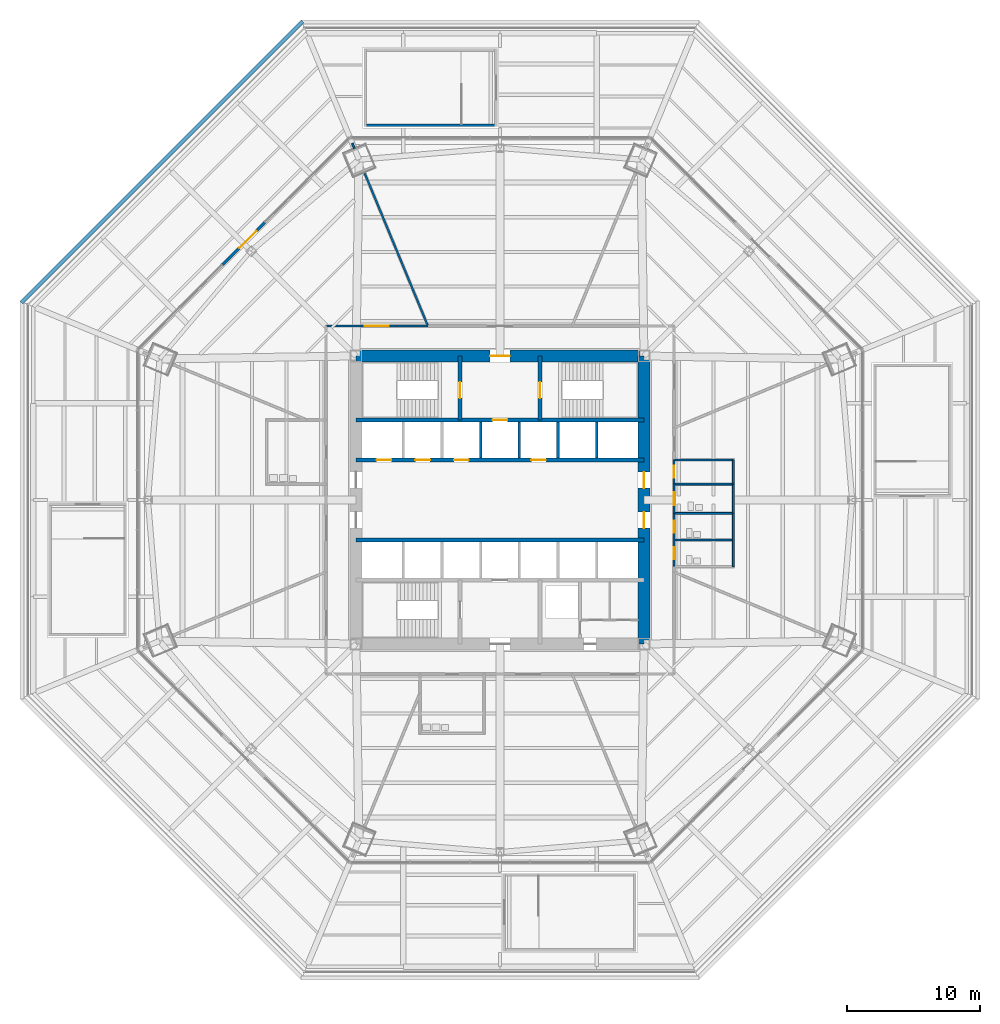
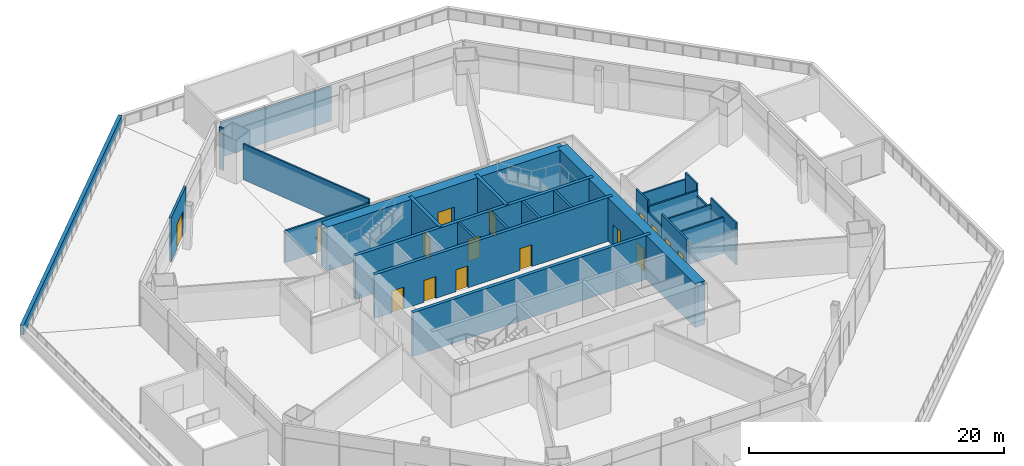
# One storey, part 17 of 25: 27 walls, 16 doors, 16 openings.
"""IFC4 building model written with IfcOpenShell, lengths in metres."""

from ifc_helpers import new_model, si_unit, direction, frame, frame_2d, origin, place, context, subcontext, project, spatial, rectangle, extrude, material, layer, layer_set, type_object, element, fill, save


model = new_model("IFC4")

# Units and contexts
model_context = context("Model", 3, precision=1e-05, world=origin(), true_north=direction((0.0, 1.0)))
body_context = subcontext(model_context, "Body", "Model", "MODEL_VIEW")
ifc_project = project(units=[si_unit("LENGTHUNIT", "METRE"), si_unit("AREAUNIT", "SQUARE_METRE"), si_unit("VOLUMEUNIT", "CUBIC_METRE"), si_unit("PLANEANGLEUNIT", "RADIAN"), si_unit("MASSUNIT", "GRAM", prefix="KILO")], contexts=[model_context])

# Site, building, storey
site_placement = place(None, origin())
site = spatial("IfcSite", under=ifc_project, at=site_placement, CompositionType="ELEMENT")
building_placement = place(site_placement, origin())
building = spatial("IfcBuilding", under=site, at=building_placement, Name="Mashrafa Tower", CompositionType="ELEMENT")
storey_placement = place(building_placement, frame((0.0, 0.0, 28.800048828125)))
storey = spatial("IfcBuildingStorey", under=building, at=storey_placement, Name="L05", CompositionType="ELEMENT", Elevation=28.800048828125)

# Wall, openings, doors
ifc_material_1 = material(Name="Concrete C60/75", Category="concrete")
ifc_layer_1 = layer(ifc_material_1, 0.300048828125)
ifc_layer_set_1 = layer_set([ifc_layer_1], Name="Core wall 300 C60/75")
wall_type_1 = type_object("IfcWallType", Name="Core wall 300 C60/75", PredefinedType="SOLIDWALL", material=ifc_layer_set_1)
wall_1_placement = place(storey_placement, frame((-10.800048828125, 3.0, 0.0), z_axis=(0.0, 0.0, 1.0), x_axis=(1.0, 0.0, 0.0)))
wall_1 = element("IfcWall", 1, at=wall_1_placement, inside=storey, type_object=wall_type_1, Name="Core wall CH-N L05", PredefinedType="SOLIDWALL", context=body_context, shape_type="SweptSolid", body=[
    extrude(rectangle(XDim=21.60009765625, YDim=0.300048828125, at=frame_2d((10.800048828125, 0.0))), origin(), (0.0, 0.0, 1.0), 4.199951171875),
])
opening_1_placement = place(wall_1_placement, frame((1.550048828125, 0.0, 0.0)))
opening_1 = element("IfcOpeningElement", 2, at=opening_1_placement, cuts=wall_1, Name="Opening 05.A1", PredefinedType="OPENING", context=body_context, shape_type="SweptSolid", body=[
    extrude(rectangle(XDim=1.10009765625, YDim=2.10009765625, at=frame_2d((0.550048828125, 1.050048828125))), frame((0.0, 0.159912109375, 0.0), z_axis=(0.0, -1.0, 0.0), x_axis=(1.0, 0.0, 0.0)), (0.0, 0.0, 1.0), 0.320068359375),
])
opening_2_placement = place(wall_1_placement, frame((4.449951171875, 0.0, 0.0)))
opening_2 = element("IfcOpeningElement", 3, at=opening_2_placement, cuts=wall_1, Name="Opening 05.A2", PredefinedType="OPENING", context=body_context, shape_type="SweptSolid", body=[
    extrude(rectangle(XDim=1.10009765625, YDim=2.10009765625, at=frame_2d((0.550048828125, 1.050048828125))), frame((0.0, 0.159912109375, 0.0), z_axis=(0.0, -1.0, 0.0), x_axis=(1.0, 0.0, 0.0)), (0.0, 0.0, 1.0), 0.320068359375),
])
opening_3_placement = place(wall_1_placement, frame((7.35009765625, 0.0, 0.0)))
opening_3 = element("IfcOpeningElement", 4, at=opening_3_placement, cuts=wall_1, Name="Opening 05.A3", PredefinedType="OPENING", context=body_context, shape_type="SweptSolid", body=[
    extrude(rectangle(XDim=1.10009765625, YDim=2.10009765625, at=frame_2d((0.550048828125, 1.050048828125))), frame((0.0, 0.159912109375, 0.0), z_axis=(0.0, -1.0, 0.0), x_axis=(1.0, 0.0, 0.0)), (0.0, 0.0, 1.0), 0.320068359375),
])
opening_4_placement = place(wall_1_placement, frame((13.14990234375, 0.0, 0.0)))
opening_4 = element("IfcOpeningElement", 5, at=opening_4_placement, cuts=wall_1, Name="Opening 05.A4", PredefinedType="OPENING", context=body_context, shape_type="SweptSolid", body=[
    extrude(rectangle(XDim=1.10009765625, YDim=2.10009765625, at=frame_2d((0.550048828125, 1.050048828125))), frame((0.0, 0.159912109375, 0.0), z_axis=(0.0, -1.0, 0.0), x_axis=(1.0, 0.0, 0.0)), (0.0, 0.0, 1.0), 0.320068359375),
])
ifc_material_2 = material(Name="Steel door", Category="steel")
door_type_1 = type_object("IfcDoorType", Name="Lift landing door 1100 x 2100 90 min", OperationType="DOUBLE_DOOR_SLIDING", PredefinedType="DOOR", material=ifc_material_2)
door_1_placement = place(opening_1_placement, origin())
door_1 = element("IfcDoor", 6, at=door_1_placement, inside=storey, type_object=door_type_1, Name="Lift landing door A1 L05", OperationType="DOUBLE_DOOR_SLIDING", OverallHeight=2.10009765625, OverallWidth=1.10009765625, PredefinedType="DOOR", context=body_context, shape_type="SweptSolid", body=[
    extrude(rectangle(XDim=1.10009765625, YDim=2.10009765625, at=frame_2d((0.550048828125, 1.050048828125))), frame((0.0, 0.02490234375, 0.0), z_axis=(0.0, -1.0, 0.0), x_axis=(1.0, 0.0, 0.0)), (0.0, 0.0, 1.0), 0.050048828125),
])
fill(opening_1, door_1)
door_2_placement = place(opening_2_placement, origin())
door_2 = element("IfcDoor", 7, at=door_2_placement, inside=storey, type_object=door_type_1, Name="Lift landing door A2 L05", OperationType="DOUBLE_DOOR_SLIDING", OverallHeight=2.10009765625, OverallWidth=1.10009765625, PredefinedType="DOOR", context=body_context, shape_type="SweptSolid", body=[
    extrude(rectangle(XDim=1.10009765625, YDim=2.10009765625, at=frame_2d((0.550048828125, 1.050048828125))), frame((0.0, 0.02490234375, 0.0), z_axis=(0.0, -1.0, 0.0), x_axis=(1.0, 0.0, 0.0)), (0.0, 0.0, 1.0), 0.050048828125),
])
fill(opening_2, door_2)
door_3_placement = place(opening_3_placement, origin())
door_3 = element("IfcDoor", 8, at=door_3_placement, inside=storey, type_object=door_type_1, Name="Lift landing door A3 L05", OperationType="DOUBLE_DOOR_SLIDING", OverallHeight=2.10009765625, OverallWidth=1.10009765625, PredefinedType="DOOR", context=body_context, shape_type="SweptSolid", body=[
    extrude(rectangle(XDim=1.10009765625, YDim=2.10009765625, at=frame_2d((0.550048828125, 1.050048828125))), frame((0.0, 0.02490234375, 0.0), z_axis=(0.0, -1.0, 0.0), x_axis=(1.0, 0.0, 0.0)), (0.0, 0.0, 1.0), 0.050048828125),
])
fill(opening_3, door_3)
door_4_placement = place(opening_4_placement, origin())
door_4 = element("IfcDoor", 9, at=door_4_placement, inside=storey, type_object=door_type_1, Name="Lift landing door A4 L05", OperationType="DOUBLE_DOOR_SLIDING", OverallHeight=2.10009765625, OverallWidth=1.10009765625, PredefinedType="DOOR", context=body_context, shape_type="SweptSolid", body=[
    extrude(rectangle(XDim=1.10009765625, YDim=2.10009765625, at=frame_2d((0.550048828125, 1.050048828125))), frame((0.0, 0.02490234375, 0.0), z_axis=(0.0, -1.0, 0.0), x_axis=(1.0, 0.0, 0.0)), (0.0, 0.0, 1.0), 0.050048828125),
])
fill(opening_4, door_4)

# Wall, opening, door
wall_2_placement = place(storey_placement, frame((-10.800048828125, 6.0, 0.0), z_axis=(0.0, 0.0, 1.0), x_axis=(1.0, 0.0, 0.0)))
wall_2 = element("IfcWall", 10, at=wall_2_placement, inside=storey, type_object=wall_type_1, Name="Core wall CB-N L05", PredefinedType="SOLIDWALL", context=body_context, shape_type="SweptSolid", body=[
    extrude(rectangle(XDim=21.60009765625, YDim=0.300048828125, at=frame_2d((10.800048828125, 0.0))), origin(), (0.0, 0.0, 1.0), 4.199951171875),
])
opening_5_placement = place(wall_2_placement, frame((10.25, 0.0, 0.0)))
opening_5 = element("IfcOpeningElement", 11, at=opening_5_placement, cuts=wall_2, Name="Opening 05.F1", PredefinedType="OPENING", context=body_context, shape_type="SweptSolid", body=[
    extrude(rectangle(XDim=1.10009765625, YDim=2.10009765625, at=frame_2d((0.550048828125, 1.050048828125))), frame((0.0, 0.159912109375, 0.0), z_axis=(0.0, -1.0, 0.0), x_axis=(1.0, 0.0, 0.0)), (0.0, 0.0, 1.0), 0.320068359375),
])
door_5_placement = place(opening_5_placement, origin())
door_5 = element("IfcDoor", 12, at=door_5_placement, inside=storey, type_object=door_type_1, Name="Lift landing door F1 L05", OperationType="DOUBLE_DOOR_SLIDING", OverallHeight=2.10009765625, OverallWidth=1.10009765625, PredefinedType="DOOR", context=body_context, shape_type="SweptSolid", body=[
    extrude(rectangle(XDim=1.10009765625, YDim=2.10009765625, at=frame_2d((0.550048828125, 1.050048828125))), frame((0.0, 0.02490234375, 0.0), z_axis=(0.0, -1.0, 0.0), x_axis=(1.0, 0.0, 0.0)), (0.0, 0.0, 1.0), 0.050048828125),
])
fill(opening_5, door_5)

wall_3_placement = place(storey_placement, frame((-3.0, 6.0, 0.0), z_axis=(0.0, 0.0, 1.0), x_axis=(0.0, 1.0, 0.0)))
wall_3 = element("IfcWall", 13, at=wall_3_placement, inside=storey, type_object=wall_type_1, Name="Core wall CX-NW L05", PredefinedType="SOLIDWALL", context=body_context, shape_type="SweptSolid", body=[
    extrude(rectangle(XDim=4.800048828125, YDim=0.300048828125, at=frame_2d((2.39990234375, 0.0))), origin(), (0.0, 0.0, 1.0), 4.199951171875),
])
opening_6_placement = place(wall_3_placement, frame((1.64990234375, 0.0, 0.0)))
opening_6 = element("IfcOpeningElement", 14, at=opening_6_placement, cuts=wall_3, Name="Opening 05.021", PredefinedType="OPENING", context=body_context, shape_type="SweptSolid", body=[
    extrude(rectangle(XDim=1.199951171875, YDim=2.10009765625, at=frame_2d((0.60009765625, 1.050048828125))), frame((0.0, 0.159912109375, 0.0), z_axis=(0.0, -1.0, 0.0), x_axis=(1.0, 0.0, 0.0)), (0.0, 0.0, 1.0), 0.320068359375),
])
ifc_material_3 = material(Name="Steel door", Category="steel")
door_type_2 = type_object("IfcDoorType", Name="Stair door 1200 x 2100 90 min", OperationType="USERDEFINED", PredefinedType="DOOR", material=ifc_material_3)
door_6_placement = place(opening_6_placement, origin())
door_6 = element("IfcDoor", 15, at=door_6_placement, inside=storey, type_object=door_type_2, Name="Stair S1 door L05", OperationType="SINGLE_SWING_LEFT", OverallHeight=2.10009765625, OverallWidth=1.199951171875, PredefinedType="DOOR", context=body_context, shape_type="SweptSolid", body=[
    extrude(rectangle(XDim=1.199951171875, YDim=2.10009765625, at=frame_2d((0.60009765625, 1.050048828125))), frame((0.0, 0.02490234375, 0.0), z_axis=(0.0, -1.0, 0.0), x_axis=(1.0, 0.0, 0.0)), (0.0, 0.0, 1.0), 0.050048828125),
])
fill(opening_6, door_6)

wall_4_placement = place(storey_placement, frame((3.0, 6.0, 0.0), z_axis=(0.0, 0.0, 1.0), x_axis=(0.0, 1.0, 0.0)))
wall_4 = element("IfcWall", 16, at=wall_4_placement, inside=storey, type_object=wall_type_1, Name="Core wall CX-NE L05", PredefinedType="SOLIDWALL", context=body_context, shape_type="SweptSolid", body=[
    extrude(rectangle(XDim=4.800048828125, YDim=0.300048828125, at=frame_2d((2.39990234375, 0.0))), origin(), (0.0, 0.0, 1.0), 4.199951171875),
])
opening_7_placement = place(wall_4_placement, frame((1.64990234375, 0.0, 0.0)))
opening_7 = element("IfcOpeningElement", 17, at=opening_7_placement, cuts=wall_4, Name="Opening 05.022", PredefinedType="OPENING", context=body_context, shape_type="SweptSolid", body=[
    extrude(rectangle(XDim=1.199951171875, YDim=2.10009765625, at=frame_2d((0.60009765625, 1.050048828125))), frame((0.0, 0.159912109375, 0.0), z_axis=(0.0, -1.0, 0.0), x_axis=(1.0, 0.0, 0.0)), (0.0, 0.0, 1.0), 0.320068359375),
])
door_7_placement = place(opening_7_placement, frame((1.199951171875, 0.0, 0.0), z_axis=(0.0, 0.0, 1.0), x_axis=(-1.0, 0.0, 0.0)))
door_7 = element("IfcDoor", 18, at=door_7_placement, inside=storey, type_object=door_type_2, Name="Stair S2 door L05", OperationType="SINGLE_SWING_RIGHT", OverallHeight=2.10009765625, OverallWidth=1.199951171875, PredefinedType="DOOR", context=body_context, shape_type="SweptSolid", body=[
    extrude(rectangle(XDim=1.199951171875, YDim=2.10009765625, at=frame_2d((0.60009765625, 1.050048828125))), frame((0.0, 0.02490234375, 0.0), z_axis=(0.0, -1.0, 0.0), x_axis=(1.0, 0.0, 0.0)), (0.0, 0.0, 1.0), 0.050048828125),
])
fill(opening_7, door_7)

# Wall
wall_5_placement = place(storey_placement, frame((-10.800048828125, -3.0, 0.0), z_axis=(0.0, 0.0, 1.0), x_axis=(1.0, 0.0, 0.0)))
element("IfcWall", 19, at=wall_5_placement, inside=storey, type_object=wall_type_1, Name="Core wall CH-S L05", PredefinedType="SOLIDWALL", context=body_context, shape_type="SweptSolid", body=[
    extrude(rectangle(XDim=21.60009765625, YDim=0.300048828125, at=frame_2d((10.800048828125, 0.0))), origin(), (0.0, 0.0, 1.0), 4.199951171875),
])

# Wall, openings, doors
ifc_material_4 = material(Name="Concrete C60/75", Category="concrete")
ifc_layer_2 = layer(ifc_material_4, 0.89990234375)
ifc_layer_set_2 = layer_set([ifc_layer_2], Name="Core wall 900 C60/75")
wall_type_2 = type_object("IfcWallType", Name="Core wall 900 C60/75", PredefinedType="SOLIDWALL", material=ifc_layer_set_2)
wall_6_placement = place(storey_placement, frame((10.800048828125, -10.800048828125, 0.0), z_axis=(0.0, 0.0, 1.0), x_axis=(0.0, 1.0, 0.0)))
wall_6 = element("IfcWall", 20, at=wall_6_placement, inside=storey, type_object=wall_type_2, Name="Core wall CW-E L05", PredefinedType="SOLIDWALL", context=body_context, shape_type="SweptSolid", body=[
    extrude(rectangle(XDim=21.60009765625, YDim=0.89990234375, at=frame_2d((10.800048828125, 0.0))), origin(), (0.0, 0.0, 1.0), 4.199951171875),
])
opening_8_placement = place(wall_6_placement, frame((11.699951171875, 0.0, 0.0)))
opening_8 = element("IfcOpeningElement", 21, at=opening_8_placement, cuts=wall_6, Name="Opening 05.015", PredefinedType="OPENING", context=body_context, shape_type="SweptSolid", body=[
    extrude(rectangle(XDim=1.199951171875, YDim=2.10009765625, at=frame_2d((0.60009765625, 1.050048828125))), frame((0.0, 0.4599609375, 0.0), z_axis=(0.0, -1.0, 0.0), x_axis=(1.0, 0.0, 0.0)), (0.0, 0.0, 1.0), 0.919921875),
])
opening_9_placement = place(wall_6_placement, frame((8.699951171875, 0.0, 0.0)))
opening_9 = element("IfcOpeningElement", 22, at=opening_9_placement, cuts=wall_6, Name="Opening 05.017", PredefinedType="OPENING", context=body_context, shape_type="SweptSolid", body=[
    extrude(rectangle(XDim=1.199951171875, YDim=2.10009765625, at=frame_2d((0.60009765625, 1.050048828125))), frame((0.0, 0.4599609375, 0.0), z_axis=(0.0, -1.0, 0.0), x_axis=(1.0, 0.0, 0.0)), (0.0, 0.0, 1.0), 0.919921875),
])
ifc_material_5 = material(Name="Steel door", Category="steel")
door_type_3 = type_object("IfcDoorType", Name="Lift hall door 1200 x 2100 90 min", OperationType="USERDEFINED", PredefinedType="DOOR", material=ifc_material_5)
door_8_placement = place(opening_8_placement, frame((1.199951171875, 0.0, 0.0), z_axis=(0.0, 0.0, 1.0), x_axis=(-1.0, 0.0, 0.0)))
door_8 = element("IfcDoor", 23, at=door_8_placement, inside=storey, type_object=door_type_3, Name="Lift hall door east L05", OperationType="SINGLE_SWING_LEFT", OverallHeight=2.10009765625, OverallWidth=1.199951171875, PredefinedType="DOOR", context=body_context, shape_type="SweptSolid", body=[
    extrude(rectangle(XDim=1.199951171875, YDim=2.10009765625, at=frame_2d((0.60009765625, 1.050048828125))), frame((0.0, 0.02490234375, 0.0), z_axis=(0.0, -1.0, 0.0), x_axis=(1.0, 0.0, 0.0)), (0.0, 0.0, 1.0), 0.050048828125),
])
fill(opening_8, door_8)
door_9_placement = place(opening_9_placement, frame((1.199951171875, 0.0, 0.0), z_axis=(0.0, 0.0, 1.0), x_axis=(-1.0, 0.0, 0.0)))
door_9 = element("IfcDoor", 24, at=door_9_placement, inside=storey, type_object=door_type_3, Name="Lift hall door east L05", OperationType="SINGLE_SWING_RIGHT", OverallHeight=2.10009765625, OverallWidth=1.199951171875, PredefinedType="DOOR", context=body_context, shape_type="SweptSolid", body=[
    extrude(rectangle(XDim=1.199951171875, YDim=2.10009765625, at=frame_2d((0.60009765625, 1.050048828125))), frame((0.0, 0.02490234375, 0.0), z_axis=(0.0, -1.0, 0.0), x_axis=(1.0, 0.0, 0.0)), (0.0, 0.0, 1.0), 0.050048828125),
])
fill(opening_9, door_9)

# Wall, opening, door
wall_7_placement = place(storey_placement, frame((10.800048828125, 10.800048828125, 0.0), z_axis=(0.0, 0.0, 1.0), x_axis=(-1.0, 0.0, 0.0)))
wall_7 = element("IfcWall", 25, at=wall_7_placement, inside=storey, type_object=wall_type_2, Name="Core wall CW-N L05", PredefinedType="SOLIDWALL", context=body_context, shape_type="SweptSolid", body=[
    extrude(rectangle(XDim=21.60009765625, YDim=0.89990234375, at=frame_2d((10.800048828125, 0.0))), origin(), (0.0, 0.0, 1.0), 4.199951171875),
])
opening_10_placement = place(wall_7_placement, frame((10.050048828125, 0.0, 0.0)))
opening_10 = element("IfcOpeningElement", 26, at=opening_10_placement, cuts=wall_7, Name="Opening 05.019", PredefinedType="OPENING", context=body_context, shape_type="SweptSolid", body=[
    extrude(rectangle(XDim=1.5, YDim=2.10009765625, at=frame_2d((0.75, 1.050048828125))), frame((0.0, 0.4599609375, 0.0), z_axis=(0.0, -1.0, 0.0), x_axis=(1.0, 0.0, 0.0)), (0.0, 0.0, 1.0), 0.919921875),
])
ifc_material_6 = material(Name="Steel door", Category="steel")
door_type_4 = type_object("IfcDoorType", Name="Lobby door pair 1500 x 2100 90 min", OperationType="DOUBLE_DOOR_SINGLE_SWING", PredefinedType="DOOR", material=ifc_material_6)
door_10_placement = place(opening_10_placement, origin())
door_10 = element("IfcDoor", 27, at=door_10_placement, inside=storey, type_object=door_type_4, Name="Fire-fighting lobby F1 door L05", OperationType="DOUBLE_DOOR_SINGLE_SWING", OverallHeight=2.10009765625, OverallWidth=1.5, PredefinedType="DOOR", context=body_context, shape_type="SweptSolid", body=[
    extrude(rectangle(XDim=1.5, YDim=2.10009765625, at=frame_2d((0.75, 1.050048828125))), frame((0.0, 0.02490234375, 0.0), z_axis=(0.0, -1.0, 0.0), x_axis=(1.0, 0.0, 0.0)), (0.0, 0.0, 1.0), 0.050048828125),
])
fill(opening_10, door_10)

# Wall, openings, doors
ifc_material_7 = material(Name="Gypsum board on steel studs", Category="steel")
ifc_layer_3 = layer(ifc_material_7, 0.14990234375)
ifc_layer_set_3 = layer_set([ifc_layer_3], Name="Corridor partition 150 1 hr")
wall_type_3 = type_object("IfcWallType", Name="Corridor partition 150 1 hr", PredefinedType="PARTITIONING", material=ifc_layer_set_3)
wall_8_placement = place(storey_placement, frame((13.050048828125, -5.0, 0.0), z_axis=(0.0, 0.0, 1.0), x_axis=(0.0, 1.0, 0.0)))
wall_8 = element("IfcWall", 28, at=wall_8_placement, inside=storey, type_object=wall_type_3, Name="Corridor wall L05-002", PredefinedType="PARTITIONING", context=body_context, shape_type="SweptSolid", body=[
    extrude(rectangle(XDim=4.0, YDim=0.14990234375, at=frame_2d((2.0, 0.0))), origin(), (0.0, 0.0, 1.0), 4.034912109375),
])
opening_11_placement = place(wall_8_placement, frame((0.550048828125, 0.0, 0.0)))
opening_11 = element("IfcOpeningElement", 29, at=opening_11_placement, cuts=wall_8, Name="Opening 05.001", PredefinedType="OPENING", context=body_context, shape_type="SweptSolid", body=[
    extrude(rectangle(XDim=0.89990234375, YDim=2.10009765625, at=frame_2d((0.449951171875, 1.050048828125))), frame((0.0, 0.0849609375, 0.0), z_axis=(0.0, -1.0, 0.0), x_axis=(1.0, 0.0, 0.0)), (0.0, 0.0, 1.0), 0.169921875),
])
opening_12_placement = place(wall_8_placement, frame((2.550048828125, 0.0, 0.0)))
opening_12 = element("IfcOpeningElement", 30, at=opening_12_placement, cuts=wall_8, Name="Opening 05.002", PredefinedType="OPENING", context=body_context, shape_type="SweptSolid", body=[
    extrude(rectangle(XDim=0.89990234375, YDim=2.10009765625, at=frame_2d((0.449951171875, 1.050048828125))), frame((0.0, 0.0849609375, 0.0), z_axis=(0.0, -1.0, 0.0), x_axis=(1.0, 0.0, 0.0)), (0.0, 0.0, 1.0), 0.169921875),
])
ifc_material_8 = material(Name="Timber door", Category="wood")
door_type_5 = type_object("IfcDoorType", Name="Toilet door 900 x 2100", OperationType="USERDEFINED", PredefinedType="DOOR", material=ifc_material_8)
door_11_placement = place(opening_11_placement, frame((0.89990234375, 0.0, 0.0), z_axis=(0.0, 0.0, 1.0), x_axis=(-1.0, 0.0, 0.0)))
door_11 = element("IfcDoor", 31, at=door_11_placement, inside=storey, type_object=door_type_5, Name="WC Female L05 door", OperationType="SINGLE_SWING_RIGHT", OverallHeight=2.10009765625, OverallWidth=0.89990234375, PredefinedType="DOOR", context=body_context, shape_type="SweptSolid", body=[
    extrude(rectangle(XDim=0.89990234375, YDim=2.10009765625, at=frame_2d((0.449951171875, 1.050048828125))), frame((0.0, 0.02490234375, 0.0), z_axis=(0.0, -1.0, 0.0), x_axis=(1.0, 0.0, 0.0)), (0.0, 0.0, 1.0), 0.050048828125),
])
fill(opening_11, door_11)
door_12_placement = place(opening_12_placement, frame((0.89990234375, 0.0, 0.0), z_axis=(0.0, 0.0, 1.0), x_axis=(-1.0, 0.0, 0.0)))
door_12 = element("IfcDoor", 32, at=door_12_placement, inside=storey, type_object=door_type_5, Name="WC Male L05 door", OperationType="SINGLE_SWING_RIGHT", OverallHeight=2.10009765625, OverallWidth=0.89990234375, PredefinedType="DOOR", context=body_context, shape_type="SweptSolid", body=[
    extrude(rectangle(XDim=0.89990234375, YDim=2.10009765625, at=frame_2d((0.449951171875, 1.050048828125))), frame((0.0, 0.02490234375, 0.0), z_axis=(0.0, -1.0, 0.0), x_axis=(1.0, 0.0, 0.0)), (0.0, 0.0, 1.0), 0.050048828125),
])
fill(opening_12, door_12)

# Wall, opening, door
wall_9_placement = place(storey_placement, frame((13.050048828125, 1.199951171875, 0.0), z_axis=(0.0, 0.0, 1.0), x_axis=(0.0, -1.0, 0.0)))
wall_9 = element("IfcWall", 33, at=wall_9_placement, inside=storey, type_object=wall_type_3, Name="Corridor wall L05-009", PredefinedType="PARTITIONING", context=body_context, shape_type="SweptSolid", body=[
    extrude(rectangle(XDim=2.199951171875, YDim=0.14990234375, at=frame_2d((1.10009765625, 0.0))), origin(), (0.0, 0.0, 1.0), 2.925048828125),
])
opening_13_placement = place(wall_9_placement, frame((0.60009765625, 0.0, 0.0)))
opening_13 = element("IfcOpeningElement", 34, at=opening_13_placement, cuts=wall_9, Name="Opening 05.003", PredefinedType="OPENING", context=body_context, shape_type="SweptSolid", body=[
    extrude(rectangle(XDim=1.0, YDim=2.10009765625, at=frame_2d((0.5, 1.050048828125))), frame((0.0, 0.0849609375, 0.0), z_axis=(0.0, -1.0, 0.0), x_axis=(1.0, 0.0, 0.0)), (0.0, 0.0, 1.0), 0.169921875),
])
ifc_material_9 = material(Name="Timber door", Category="wood")
door_type_6 = type_object("IfcDoorType", Name="Accessible toilet door 1000 x 2100", OperationType="USERDEFINED", PredefinedType="DOOR", material=ifc_material_9)
door_13_placement = place(opening_13_placement, origin())
door_13 = element("IfcDoor", 35, at=door_13_placement, inside=storey, type_object=door_type_6, Name="Accessible WC L05 door", OperationType="SINGLE_SWING_LEFT", OverallHeight=2.10009765625, OverallWidth=1.0, PredefinedType="DOOR", context=body_context, shape_type="SweptSolid", body=[
    extrude(rectangle(XDim=1.0, YDim=2.10009765625, at=frame_2d((0.5, 1.050048828125))), frame((0.0, 0.02490234375, 0.0), z_axis=(0.0, -1.0, 0.0), x_axis=(1.0, 0.0, 0.0)), (0.0, 0.0, 1.0), 0.050048828125),
])
fill(opening_13, door_13)

wall_10_placement = place(storey_placement, frame((13.050048828125, 3.0, 0.0), z_axis=(0.0, 0.0, 1.0), x_axis=(0.0, -1.0, 0.0)))
wall_10 = element("IfcWall", 36, at=wall_10_placement, inside=storey, type_object=wall_type_3, Name="Corridor wall L05-011", PredefinedType="PARTITIONING", context=body_context, shape_type="SweptSolid", body=[
    extrude(rectangle(XDim=1.800048828125, YDim=0.14990234375, at=frame_2d((0.89990234375, 0.0))), origin(), (0.0, 0.0, 1.0), 4.034912109375),
])
opening_14_placement = place(wall_10_placement, frame((0.449951171875, 0.0, 0.0)))
opening_14 = element("IfcOpeningElement", 37, at=opening_14_placement, cuts=wall_10, Name="Opening 05.004", PredefinedType="OPENING", context=body_context, shape_type="SweptSolid", body=[
    extrude(rectangle(XDim=0.89990234375, YDim=2.10009765625, at=frame_2d((0.449951171875, 1.050048828125))), frame((0.0, 0.0849609375, 0.0), z_axis=(0.0, -1.0, 0.0), x_axis=(1.0, 0.0, 0.0)), (0.0, 0.0, 1.0), 0.169921875),
])
ifc_material_10 = material(Name="Timber door", Category="wood")
door_type_7 = type_object("IfcDoorType", Name="Store door 900 x 2100", OperationType="USERDEFINED", PredefinedType="DOOR", material=ifc_material_10)
door_14_placement = place(opening_14_placement, origin())
door_14 = element("IfcDoor", 38, at=door_14_placement, inside=storey, type_object=door_type_7, Name="Cleaner's Store L05 door", OperationType="SINGLE_SWING_LEFT", OverallHeight=2.10009765625, OverallWidth=0.89990234375, PredefinedType="DOOR", context=body_context, shape_type="SweptSolid", body=[
    extrude(rectangle(XDim=0.89990234375, YDim=2.10009765625, at=frame_2d((0.449951171875, 1.050048828125))), frame((0.0, 0.02490234375, 0.0), z_axis=(0.0, -1.0, 0.0), x_axis=(1.0, 0.0, 0.0)), (0.0, 0.0, 1.0), 0.050048828125),
])
fill(opening_14, door_14)

wall_11_placement = place(storey_placement, frame((-5.404296875, 13.050048828125, 0.0), z_axis=(0.0, 0.0, 1.0), x_axis=(-1.0, 0.0, 0.0)))
wall_11 = element("IfcWall", 39, at=wall_11_placement, inside=storey, type_object=wall_type_3, Name="Corridor wall L05-031", PredefinedType="PARTITIONING", context=body_context, shape_type="SweptSolid", body=[
    extrude(rectangle(XDim=7.645751953125, YDim=0.14990234375, at=frame_2d((3.82275390625, 0.0))), origin(), (0.0, 0.0, 1.0), 3.06494140625),
])
opening_15_placement = place(wall_11_placement, frame((2.9228515625, 0.0, 0.0)))
opening_15 = element("IfcOpeningElement", 40, at=opening_15_placement, cuts=wall_11, Name="Opening 05.012", PredefinedType="OPENING", context=body_context, shape_type="SweptSolid", body=[
    extrude(rectangle(XDim=1.800048828125, YDim=2.39990234375, at=frame_2d((0.89990234375, 1.199951171875))), frame((0.0, 0.0849609375, 0.0), z_axis=(0.0, -1.0, 0.0), x_axis=(1.0, 0.0, 0.0)), (0.0, 0.0, 1.0), 0.169921875),
])
ifc_material_11 = material(Name="Timber door", Category="wood")
door_type_8 = type_object("IfcDoorType", Name="Door pair 1800 x 2400", OperationType="DOUBLE_DOOR_SINGLE_SWING", PredefinedType="DOOR", material=ifc_material_11)
door_15_placement = place(opening_15_placement, origin())
door_15 = element("IfcDoor", 41, at=door_15_placement, inside=storey, type_object=door_type_8, Name="Winter Garden Lounge North-West L05 door", OperationType="DOUBLE_DOOR_SINGLE_SWING", OverallHeight=2.39990234375, OverallWidth=1.800048828125, PredefinedType="DOOR", context=body_context, shape_type="SweptSolid", body=[
    extrude(rectangle(XDim=1.800048828125, YDim=2.39990234375, at=frame_2d((0.89990234375, 1.199951171875))), frame((0.0, 0.02490234375, 0.0), z_axis=(0.0, -1.0, 0.0), x_axis=(1.0, 0.0, 0.0)), (0.0, 0.0, 1.0), 0.050048828125),
])
fill(opening_15, door_15)

ifc_material_12 = material(Name="Bronze-framed glazed screen")
ifc_layer_4 = layer(ifc_material_12, 0.199951171875)
ifc_layer_set_4 = layer_set([ifc_layer_4], Name="Glazed door screen 200")
wall_type_4 = type_object("IfcWallType", Name="Glazed door screen 200", PredefinedType="SOLIDWALL", material=ifc_layer_set_4)
wall_12_placement = place(storey_placement, frame((-17.648681640625, 20.81787109375, 0.0), z_axis=(0.0, 0.0, 1.0), x_axis=(-0.707106781187, -0.707106781187, 0.0)))
wall_12 = element("IfcWall", 42, at=wall_12_placement, inside=storey, type_object=wall_type_4, Name="Glazed garden door screen L05 north-west", PredefinedType="SOLIDWALL", context=body_context, shape_type="SweptSolid", body=[
    extrude(rectangle(XDim=4.48193359375, YDim=0.199951171875, at=frame_2d((2.240966796875, 0.0))), origin(), (0.0, 0.0, 1.0), 4.199951171875),
])
opening_16_placement = place(wall_12_placement, frame((0.89111328125, 0.0, 0.0)))
opening_16 = element("IfcOpeningElement", 43, at=opening_16_placement, cuts=wall_12, Name="Opening ED4", PredefinedType="OPENING", context=body_context, shape_type="SweptSolid", body=[
    extrude(rectangle(XDim=1.800048828125, YDim=2.39990234375, at=frame_2d((0.89990234375, 1.199951171875))), frame((0.0, 0.10986328125, 0.0), z_axis=(0.0, -1.0, 0.0), x_axis=(1.0, 0.0, 0.0)), (0.0, 0.0, 1.0), 0.219970703125),
])
ifc_material_13 = material(Name="Aluminium-framed glazed door", Category="aluminium")
door_type_9 = type_object("IfcDoorType", Name="Garden door pair 1800 x 2400", OperationType="DOUBLE_DOOR_SINGLE_SWING", PredefinedType="DOOR", material=ifc_material_13)
door_16_placement = place(opening_16_placement, origin())
door_16 = element("IfcDoor", 44, at=door_16_placement, inside=storey, type_object=door_type_9, Name="Garden door L05 north-west", OperationType="SINGLE_SWING_LEFT", OverallHeight=2.39990234375, OverallWidth=1.800048828125, PredefinedType="DOOR", context=body_context, shape_type="SweptSolid", body=[
    extrude(rectangle(XDim=1.800048828125, YDim=2.39990234375, at=frame_2d((0.89990234375, 1.199951171875))), frame((0.0, 0.02490234375, 0.0), z_axis=(0.0, -1.0, 0.0), x_axis=(1.0, 0.0, 0.0)), (0.0, 0.0, 1.0), 0.050048828125),
])
fill(opening_16, door_16)

# Walls
ifc_material_14 = material(Name="Limestone-clad parapet", Category="masonry")
ifc_layer_5 = layer(ifc_material_14, 0.300048828125)
ifc_layer_set_5 = layer_set([ifc_layer_5], Name="Limestone parapet 300")
wall_type_5 = type_object("IfcWallType", Name="Limestone parapet 300", PredefinedType="PARAPET", material=ifc_layer_set_5)
wall_13_placement = place(storey_placement, frame((-14.8056640625, 35.89404296875, 0.0), z_axis=(0.0, 0.0, 1.0), x_axis=(-0.707106781187, -0.707106781187, 0.0)))
element("IfcWall", 45, at=wall_13_placement, inside=storey, type_object=wall_type_5, Name="Parapet L05 north-west", PredefinedType="PARAPET", context=body_context, shape_type="SweptSolid", body=[
    extrude(rectangle(XDim=29.823486328125, YDim=0.300048828125, at=frame_2d((14.91162109375, 0.0))), origin(), (0.0, 0.0, 1.0), 0.89990234375),
])
ifc_material_15 = material(Name="Gypsum board on steel studs", Category="steel")
ifc_layer_6 = layer(ifc_material_15, 0.14990234375)
ifc_layer_set_6 = layer_set([ifc_layer_6], Name="Partition 150")
wall_type_6 = type_object("IfcWallType", Name="Partition 150", PredefinedType="PARTITIONING", material=ifc_layer_set_6)
wall_14_placement = place(storey_placement, frame((17.5, -3.0, 0.0), z_axis=(0.0, 0.0, 1.0), x_axis=(-1.0, 0.0, 0.0)))
element("IfcWall", 46, at=wall_14_placement, inside=storey, type_object=wall_type_6, Name="Partition wall L05-001", PredefinedType="PARTITIONING", context=body_context, shape_type="SweptSolid", body=[
    extrude(rectangle(XDim=4.449951171875, YDim=0.14990234375, at=frame_2d((2.22509765625, 0.0))), origin(), (0.0, 0.0, 1.0), 3.425537109375),
])
wall_15_placement = place(storey_placement, frame((17.5, -5.0, 0.0), z_axis=(0.0, 0.0, 1.0), x_axis=(0.0, 1.0, 0.0)))
element("IfcWall", 47, at=wall_15_placement, inside=storey, type_object=wall_type_6, Name="Partition wall L05-004", PredefinedType="PARTITIONING", context=body_context, shape_type="SweptSolid", body=[
    extrude(rectangle(XDim=4.0, YDim=0.14990234375, at=frame_2d((2.0, 0.0))), origin(), (0.0, 0.0, 1.0), 4.034912109375),
])
for number, where, z_axis, x_axis, name in (
    (48, (17.5, -1.0, 0.0), (0.0, 0.0, 1.0), (-1.0, 0.0, 0.0), "Partition wall L05-005"),
    (49, (17.5, 1.199951171875, 0.0), (0.0, 0.0, 1.0), (-1.0, 0.0, 0.0), "Partition wall L05-008"),
):
    element("IfcWall", number, at=place(storey_placement, frame(where, z_axis=z_axis, x_axis=x_axis)), inside=storey, type_object=wall_type_6, Name=name, PredefinedType="PARTITIONING", context=body_context, shape_type="SweptSolid", body=[
        extrude(rectangle(XDim=4.449951171875, YDim=0.14990234375, at=frame_2d((2.22509765625, 0.0))), origin(), (0.0, 0.0, 1.0), 3.425537109375),
    ])
wall_16_placement = place(storey_placement, frame((17.5, -1.0, 0.0), z_axis=(0.0, 0.0, 1.0), x_axis=(0.0, 1.0, 0.0)))
element("IfcWall", 50, at=wall_16_placement, inside=storey, type_object=wall_type_6, Name="Partition wall L05-010", PredefinedType="PARTITIONING", context=body_context, shape_type="SweptSolid", body=[
    extrude(rectangle(XDim=2.199951171875, YDim=0.14990234375, at=frame_2d((1.10009765625, 0.0))), origin(), (0.0, 0.0, 1.0), 2.925048828125),
])
wall_17_placement = place(storey_placement, frame((17.5, 1.199951171875, 0.0), z_axis=(0.0, 0.0, 1.0), x_axis=(0.0, 1.0, 0.0)))
element("IfcWall", 51, at=wall_17_placement, inside=storey, type_object=wall_type_6, Name="Partition wall L05-012", PredefinedType="PARTITIONING", context=body_context, shape_type="SweptSolid", body=[
    extrude(rectangle(XDim=1.800048828125, YDim=0.14990234375, at=frame_2d((0.89990234375, 0.0))), origin(), (0.0, 0.0, 1.0), 4.034912109375),
])
wall_18_placement = place(storey_placement, frame((17.5, 3.0, 0.0), z_axis=(0.0, 0.0, 1.0), x_axis=(-1.0, 0.0, 0.0)))
element("IfcWall", 52, at=wall_18_placement, inside=storey, type_object=wall_type_6, Name="Partition wall L05-013", PredefinedType="PARTITIONING", context=body_context, shape_type="SweptSolid", body=[
    extrude(rectangle(XDim=4.449951171875, YDim=0.14990234375, at=frame_2d((2.22509765625, 0.0))), origin(), (0.0, 0.0, 1.0), 3.425537109375),
])
wall_19_placement = place(storey_placement, frame((-11.080078125, 26.75, 0.0), z_axis=(0.0, 0.0, 1.0), x_axis=(0.382246613042, -0.924060348039, 0.0)))
element("IfcWall", 53, at=wall_19_placement, inside=storey, type_object=wall_type_6, Name="Partition wall L05-051", PredefinedType="PARTITIONING", context=body_context, shape_type="SweptSolid", body=[
    extrude(rectangle(XDim=0.41015625, YDim=0.14990234375, at=frame_2d((0.205078125, 0.0))), origin(), (0.0, 0.0, 1.0), 4.034912109375),
])
wall_20_placement = place(storey_placement, frame((-10.17041015625, 24.553466796875, 0.0), z_axis=(0.0, 0.0, 1.0), x_axis=(0.382684861109, -0.923878940705, 0.0)))
element("IfcWall", 54, at=wall_20_placement, inside=storey, type_object=wall_type_6, Name="Partition wall L05-052", PredefinedType="PARTITIONING", context=body_context, shape_type="SweptSolid", body=[
    extrude(rectangle(XDim=12.451171875, YDim=0.14990234375, at=frame_2d((6.2255859375, 0.0))), origin(), (0.0, 0.0, 1.0), 3.4228515625),
])
ifc_material_16 = material(Name="Gypsum shaft wall on steel studs", Category="steel")
ifc_layer_7 = layer(ifc_material_16, 0.199951171875)
ifc_layer_set_7 = layer_set([ifc_layer_7], Name="Shaft divider wall 200 2 hr")
wall_type_7 = type_object("IfcWallType", Name="Shaft divider wall 200 2 hr", PredefinedType="PARTITIONING", material=ifc_layer_set_7)
for number, where, z_axis, x_axis, name in (
    (55, (-1.449951171875, 3.14990234375, 0.0), (0.0, 0.0, 1.0), (0.0, 1.0, 0.0), "Shaft divider wall N3 L05"),
    (56, (1.449951171875, 3.14990234375, 0.0), (0.0, 0.0, 1.0), (0.0, 1.0, 0.0), "Shaft divider wall N4 L05"),
    (57, (4.35009765625, 3.14990234375, 0.0), (0.0, 0.0, 1.0), (0.0, 1.0, 0.0), "Shaft divider wall N5 L05"),
    (58, (7.25, 3.14990234375, 0.0), (0.0, 0.0, 1.0), (0.0, 1.0, 0.0), "Shaft divider wall N6 L05"),
):
    element("IfcWall", number, at=place(storey_placement, frame(where, z_axis=z_axis, x_axis=x_axis)), inside=storey, type_object=wall_type_7, Name=name, PredefinedType="PARTITIONING", context=body_context, shape_type="SweptSolid", body=[
        extrude(rectangle(XDim=2.7001953125, YDim=0.199951171875, at=frame_2d((1.35009765625, 0.0))), origin(), (0.0, 0.0, 1.0), 4.199951171875),
    ])
ifc_material_17 = material(Name="Concrete C40/50", Category="concrete")
ifc_layer_8 = layer(ifc_material_17, 0.169921875)
ifc_material_18 = material(Name="Limestone facing", Category="masonry")
ifc_layer_9 = layer(ifc_material_18, 0.030029296875)
ifc_layer_set_8 = layer_set([ifc_layer_8, ifc_layer_9], Name="Stair head-house wall 200")
wall_type_8 = type_object("IfcWallType", Name="Stair head-house wall 200", PredefinedType="SOLIDWALL", material=ifc_layer_set_8)
wall_21_placement = place(storey_placement, frame((-10.199951171875, 28.10009765625, 0.0), z_axis=(0.0, 0.0, 1.0), x_axis=(1.0, 0.0, 0.0)))
element("IfcWall", 59, at=wall_21_placement, inside=storey, type_object=wall_type_8, Name="Stair P2 head-house wall south", PredefinedType="SOLIDWALL", context=body_context, shape_type="SweptSolid", body=[
    extrude(rectangle(XDim=10.0, YDim=0.199951171875, at=frame_2d((5.0, 0.0))), origin(), (0.0, 0.0, 1.0), 3.300048828125),
])

save(model, "model.ifc")
